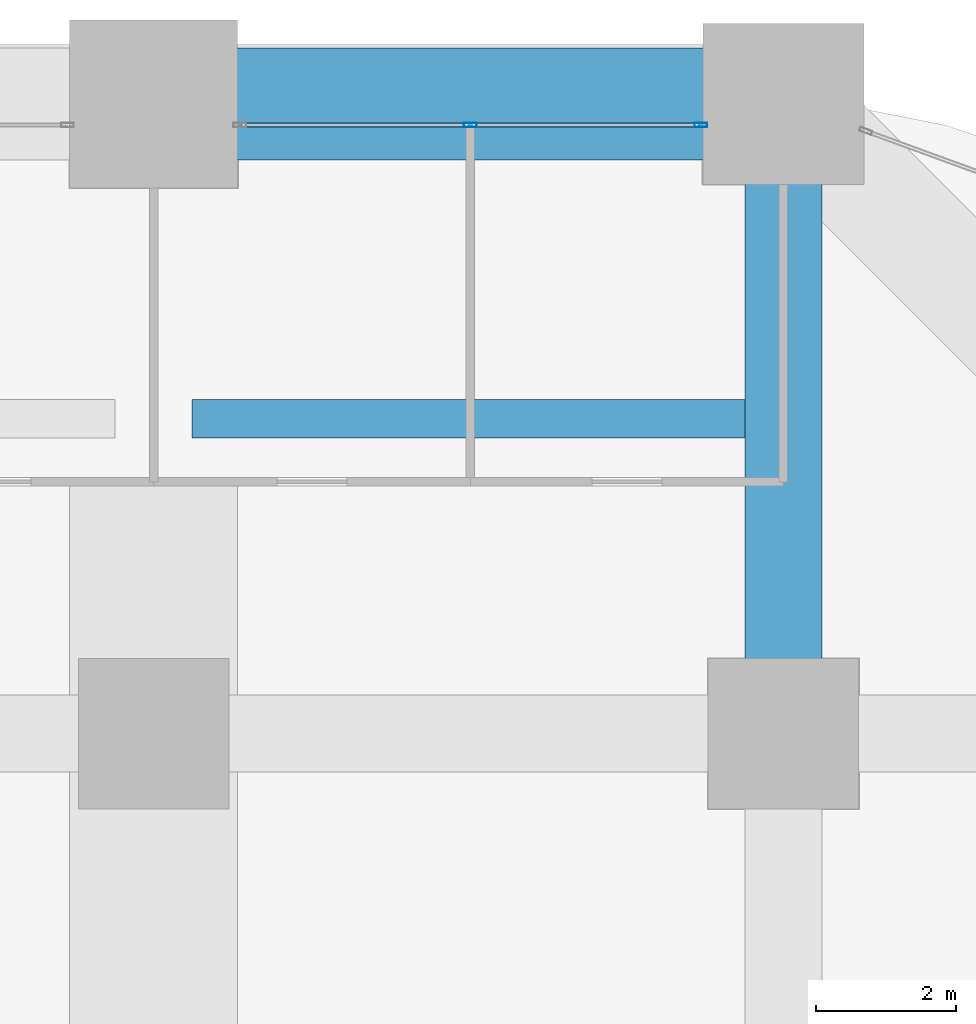
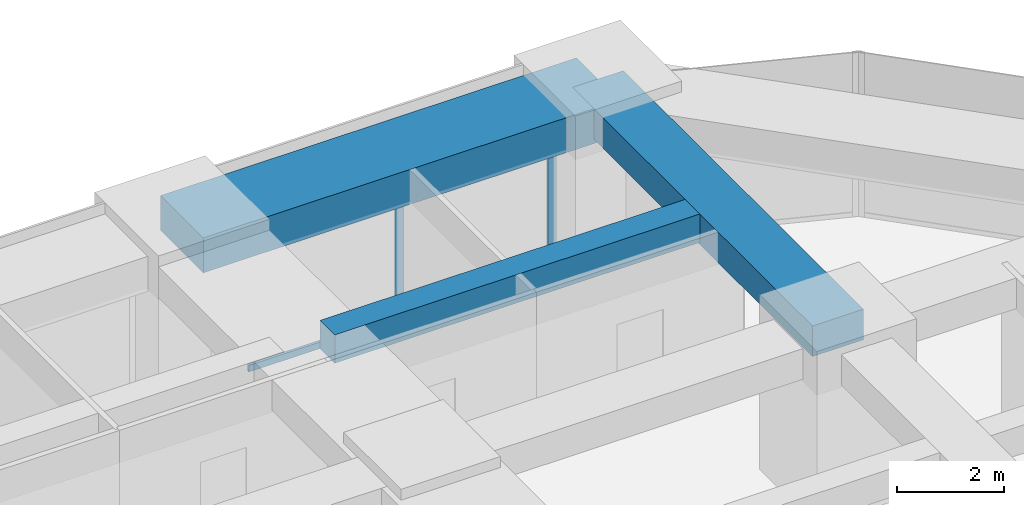
# One storey, part 36 of 45: 3 beams, 3 members, 1 element without a shape of its own.
"""IFC4 building model written with IfcOpenShell, lengths in metres."""

from ifc_helpers import new_model, si_unit, direction, frame, origin, origin_2d, place, context, subcontext, project, spatial, rectangle, hollow_rectangle, extrude, material, material_profile, profile_set, type_object, element, aggregate, save


model = new_model("IFC4")

# Units and contexts
model_context = context("Model", 3, precision=1e-05, world=origin(), true_north=direction((0.0, 1.0)))
body_context = subcontext(model_context, "Body", "Model", "MODEL_VIEW")
ifc_project = project(units=[si_unit("LENGTHUNIT", "METRE"), si_unit("AREAUNIT", "SQUARE_METRE"), si_unit("VOLUMEUNIT", "CUBIC_METRE"), si_unit("PLANEANGLEUNIT", "RADIAN"), si_unit("MASSUNIT", "GRAM", prefix="KILO")], contexts=[model_context])

# Site, building, storey
site_placement = place(None, origin())
site = spatial("IfcSite", under=ifc_project, at=site_placement, CompositionType="ELEMENT")
building_placement = place(site_placement, origin())
building = spatial("IfcBuilding", under=site, at=building_placement, Name="Zorevar Civic Tower", CompositionType="ELEMENT")
storey_placement = place(building_placement, frame((0.0, 0.0, 71.800048828125)))
storey = spatial("IfcBuildingStorey", under=building, at=storey_placement, Name="L17", CompositionType="ELEMENT", Elevation=71.800048828125)

# Beams
ifc_material_1 = material(Name="Concrete C50/60", Category="concrete")
ifc_material_profile_1 = material_profile(ifc_material_1, rectangle(XDim=1.10009765625, YDim=0.699951171875, at=origin_2d()), Name="RC 1100x700")
ifc_profile_set_1 = profile_set([ifc_material_profile_1], Name="Concrete C50/60")
beam_type_1 = type_object("IfcBeamType", Name="Beam RC 1100x700", PredefinedType="BEAM", material=ifc_profile_set_1)
beam_1_placement = place(storey_placement, frame((54.0, 45.0, 3.39990234375), z_axis=(0.0, 1.0, 0.0), x_axis=(-1.0, 0.0, 0.0)))
element("IfcBeam", 1, at=beam_1_placement, inside=storey, type_object=beam_type_1, Name="Girder L18", PredefinedType="BEAM", context=body_context, shape_type="SweptSolid", body=[
    extrude(rectangle(XDim=1.10009765625, YDim=0.699951171875, at=origin_2d()), origin(), (0.0, 0.0, 1.0), 9.0),
])
ifc_material_2 = material(Name="Concrete C50/60", Category="concrete")
ifc_material_profile_2 = material_profile(ifc_material_2, rectangle(XDim=0.550048828125, YDim=0.64990234375, at=origin_2d()), Name="RC 550x650")
ifc_profile_set_2 = profile_set([ifc_material_profile_2], Name="Concrete C50/60")
beam_type_2 = type_object("IfcBeamType", Name="Beam RC 550x650", PredefinedType="BEAM", material=ifc_profile_set_2)
beam_2_placement = place(storey_placement, frame((45.550048828125, 49.5, 3.425048828125), z_axis=(1.0, 0.0, 0.0), x_axis=(0.0, 1.0, 0.0)))
element("IfcBeam", 2, at=beam_2_placement, inside=storey, type_object=beam_type_2, Name="Secondary beam L18", PredefinedType="BEAM", context=body_context, shape_type="SweptSolid", body=[
    extrude(rectangle(XDim=0.550048828125, YDim=0.64990234375, at=origin_2d()), origin(), (0.0, 0.0, 1.0), 7.89990234375),
])

# Curtain wall, members
ifc_material_3 = material(Name="Dark grey solar-control glass in black aluminium frame", Category="aluminium")
curtain_wall_type = type_object("IfcCurtainWallType", Name="Curtain wall CW2 low zone", PredefinedType="NOTDEFINED", material=ifc_material_3)
curtain_wall_placement = place(storey_placement, origin())
curtain_wall = element("IfcCurtainWall", 3, at=curtain_wall_placement, inside=storey, type_object=curtain_wall_type, Name="CW2 L17", PredefinedType="NOTDEFINED")
ifc_material_4 = material(Name="Aluminium, black anodised", Category="aluminium")
ifc_material_profile_3 = material_profile(ifc_material_4, hollow_rectangle(XDim=0.06005859375, YDim=0.179931640625, WallThickness=0.00390625, at=origin_2d()), Name="AL 180x60x4")
ifc_profile_set_3 = profile_set([ifc_material_profile_3], Name="Aluminium, black anodised")
member_type_1 = type_object("IfcMemberType", Name="CW2 mullion AL 180x60x4", PredefinedType="MULLION", material=ifc_profile_set_3)
member_1_placement = place(storey_placement, frame((49.52490234375, 53.699951171875, 0.06005859375), z_axis=(0.0, 0.0, 1.0), x_axis=(0.0, 1.0, 0.0)))
member_1 = element("IfcMember", 4, at=member_1_placement, type_object=member_type_1, Name="CW2 mullion 2", PredefinedType="MULLION", context=body_context, shape_type="SweptSolid", body=[
    extrude(hollow_rectangle(XDim=0.06005859375, YDim=0.179931640625, WallThickness=0.00390625, at=origin_2d()), origin(), (0.0, 0.0, 1.0), 2.889892578125),
])
member_2_placement = place(storey_placement, frame((52.820068359375, 53.699951171875, 0.0), z_axis=(0.0, 0.0, 1.0), x_axis=(0.0, 1.0, 0.0)))
member_2 = element("IfcMember", 5, at=member_2_placement, type_object=member_type_1, Name="CW2 mullion 3", PredefinedType="MULLION", context=body_context, shape_type="SweptSolid", body=[
    extrude(hollow_rectangle(XDim=0.06005859375, YDim=0.179931640625, WallThickness=0.00390625, at=origin_2d()), origin(), (0.0, 0.0, 1.0), 2.949951171875),
])
ifc_material_5 = material(Name="Aluminium, black anodised", Category="aluminium")
ifc_material_profile_4 = material_profile(ifc_material_5, hollow_rectangle(XDim=0.06005859375, YDim=0.14990234375, WallThickness=0.00390625, at=origin_2d()), Name="AL 150x60x4")
ifc_profile_set_4 = profile_set([ifc_material_profile_4], Name="Aluminium, black anodised")
member_type_2 = type_object("IfcMemberType", Name="CW2 transom AL 150x60x4", PredefinedType="USERDEFINED", material=ifc_profile_set_4)
member_3_placement = place(storey_placement, frame((46.260009765625, 53.699951171875, 0.030029296875), z_axis=(1.0, 0.0, 0.0), x_axis=(0.0, 1.0, 0.0)))
member_3 = element("IfcMember", 6, at=member_3_placement, type_object=member_type_2, Name="CW2 sill transom", ObjectType="TRANSOM", PredefinedType="USERDEFINED", context=body_context, shape_type="SweptSolid", body=[
    extrude(hollow_rectangle(XDim=0.06005859375, YDim=0.14990234375, WallThickness=0.00390625, at=origin_2d()), origin(), (0.0, 0.0, 1.0), 6.530029296875),
])
aggregate(curtain_wall, [member_1, member_2, member_3])

# Beam
ifc_material_6 = material(Name="Concrete C50/60", Category="concrete")
ifc_material_profile_5 = material_profile(ifc_material_6, rectangle(XDim=1.60009765625, YDim=0.800048828125, at=origin_2d()), Name="RC 1600x800")
ifc_profile_set_5 = profile_set([ifc_material_profile_5], Name="Concrete C50/60")
beam_type_3 = type_object("IfcBeamType", Name="Edge beam RC 1600x800", PredefinedType="SPANDREL", material=ifc_profile_set_5)
beam_3_placement = place(storey_placement, frame((45.0, 54.0, 3.349853515625), z_axis=(1.0, 0.0, 0.0), x_axis=(0.0, 1.0, 0.0)))
element("IfcBeam", 7, at=beam_3_placement, inside=storey, type_object=beam_type_3, Name="Edge beam L18", PredefinedType="SPANDREL", context=body_context, shape_type="SweptSolid", body=[
    extrude(rectangle(XDim=1.60009765625, YDim=0.800048828125, at=origin_2d()), origin(), (0.0, 0.0, 1.0), 9.0),
])

save(model, "model.ifc")
